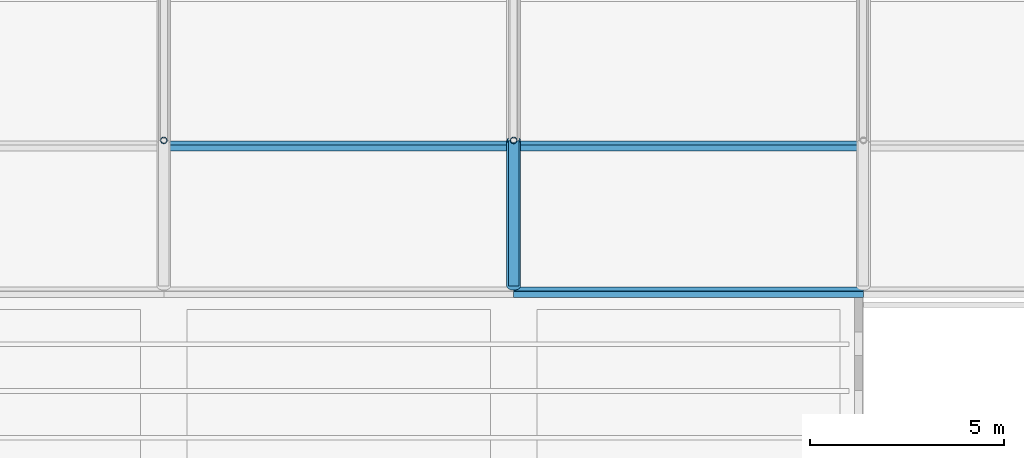
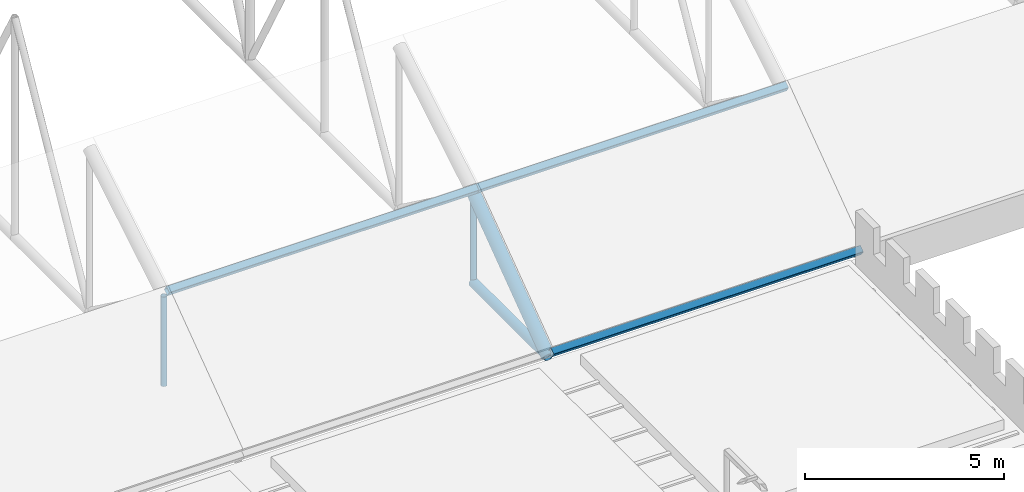
# One storey, part 44 of 153: 7 members.
"""IFC4 building model written with IfcOpenShell, lengths in metres."""

import ifcopenshell
import ifcopenshell.guid

model = None  # the IFC model being written
_history = None  # IfcOwnerHistory: only IFC2X3 demands one
_inside = {}  # id of a spatial element -> (the spatial element, [elements in it])
_under = {}  # id of a project, library or spatial element -> (it, [spatial elements below it])
_declared = {}  # id of a project -> (the project, [libraries it declares])
_typed = {}  # id of a type object -> (the type object, [elements of that type])
_made_of = {}  # id of a material, layer set ... -> (it, [elements and type objects made of it])


def new_model(schema):
    """Start an empty IFC model of exactly this schema.

    Asked for "IFC4X3", IfcOpenShell would pick the latest addendum, in which some entities
    have other attributes; the version numbers below select the first issue.
    IFC2X3 requires an IfcOwnerHistory on every rooted entity: one is made here for all.
    """
    global model, _history
    if schema == "IFC4X3":
        model = ifcopenshell.file(schema_version=(4, 3, 0, 0))
    else:
        model = ifcopenshell.file(schema=schema)
    _inside.clear()
    _under.clear()
    _declared.clear()
    _typed.clear()
    _made_of.clear()
    _history = None
    if model.schema == "IFC2X3":
        org = make("IfcOrganization", Name="unknown")
        user = make(
            "IfcPersonAndOrganization",
            ThePerson=make("IfcPerson", FamilyName="unknown"),
            TheOrganization=org,
        )
        app = make(
            "IfcApplication",
            ApplicationDeveloper=org,
            Version="unknown",
            ApplicationFullName="unknown",
            ApplicationIdentifier="unknown",
        )
        _history = make(
            "IfcOwnerHistory",
            OwningUser=user,
            OwningApplication=app,
            ChangeAction="ADDED",
            CreationDate=0,
        )
    return model


def make(cls, **values):
    """One entity of the class cls with the attributes given. An attribute that is None is left unset."""
    return model.create_entity(
        cls, **{name: value for name, value in values.items() if value is not None}
    )


def rooted(cls, **values):
    """An entity with a GlobalId (a new one), such as an element, a storey or a relation."""
    return make(cls, GlobalId=ifcopenshell.guid.new(), OwnerHistory=_history, **values)


def si_unit(unit_type, name, prefix=None):
    """IfcSIUnit, for example si_unit("LENGTHUNIT", "METRE", prefix="MILLI")."""
    return make("IfcSIUnit", UnitType=unit_type, Prefix=prefix, Name=name)


def assignment(units):
    """IfcUnitAssignment: the units of a project."""
    return None if units is None else make("IfcUnitAssignment", Units=units)


def point(xyz):
    """IfcCartesianPoint."""
    return None if xyz is None else make("IfcCartesianPoint", Coordinates=xyz)


def direction(xyz):
    """IfcDirection."""
    return None if xyz is None else make("IfcDirection", DirectionRatios=xyz)


def frame(location, z_axis=None, x_axis=None):
    """IfcAxis2Placement3D, a coordinate frame: its origin and axes. An axis left out is left unset."""
    return make(
        "IfcAxis2Placement3D",
        Location=point(location),
        Axis=direction(z_axis),
        RefDirection=direction(x_axis),
    )


def frame_2d(location, x_axis=None):
    """IfcAxis2Placement2D, a coordinate frame in the plane: its origin and x axis."""
    return make(
        "IfcAxis2Placement2D", Location=point(location), RefDirection=direction(x_axis)
    )


def origin():
    """The frame at (0, 0, 0) with its axes left unset."""
    return frame((0.0, 0.0, 0.0))


def origin_2d():
    """The frame at (0, 0) in the plane with its x axis left unset."""
    return frame_2d((0.0, 0.0))


def place(relative_to, where):
    """IfcLocalPlacement: puts the frame where relative to a parent placement (None: the world)."""
    return make(
        "IfcLocalPlacement", PlacementRelTo=relative_to, RelativePlacement=where
    )


def context(
    kind, dimensions, precision=None, world=None, true_north=None, identifier=None
):
    """IfcGeometricRepresentationContext, for example the 3D "Model" context."""
    return make(
        "IfcGeometricRepresentationContext",
        ContextIdentifier=identifier,
        ContextType=kind,
        CoordinateSpaceDimension=dimensions,
        Precision=precision,
        WorldCoordinateSystem=world,
        TrueNorth=true_north,
    )


def subcontext(parent, identifier, kind, view, scale=None):
    """IfcGeometricRepresentationSubContext, for example "Body" below "Model"."""
    return make(
        "IfcGeometricRepresentationSubContext",
        ContextIdentifier=identifier,
        ContextType=kind,
        ParentContext=parent,
        TargetScale=scale,
        TargetView=view,
    )


def project(units=None, contexts=None):
    """IfcProject with its units and contexts."""
    return rooted(
        "IfcProject",
        Name="project",
        RepresentationContexts=contexts,
        UnitsInContext=assignment(units),
    )


def spatial(cls, under=None, at=None, **own):
    """A site, building, storey or space (cls), placed at a placement, below another one or the project."""
    s = rooted(cls, ObjectPlacement=at, **own)
    if under is not None:
        _under.setdefault(under.id(), (under, []))[1].append(s)
    return s


def profile(cls, at=None, kind="AREA", **sizes):
    """A parametric profile (cls). Its sizes go by their IFC names, for example OverallWidth=200.0."""
    return make(cls, ProfileType=kind, Position=at, **sizes)


def hollow_rectangle(**sizes):
    """IfcRectangleHollowProfileDef."""
    return profile("IfcRectangleHollowProfileDef", **sizes)


def hollow_circle(**sizes):
    """IfcCircleHollowProfileDef."""
    return profile("IfcCircleHollowProfileDef", **sizes)


def extrude(swept, where, along, depth):
    """IfcExtrudedAreaSolid: the profile swept, set in the frame where, extruded along a direction by depth."""
    return make(
        "IfcExtrudedAreaSolid",
        SweptArea=swept,
        Position=where,
        ExtrudedDirection=direction(along),
        Depth=depth,
    )


def shape(context_of_items, identifier, shape_type, items):
    """IfcShapeRepresentation: the items that make up one representation, for example the "Body"."""
    return make(
        "IfcShapeRepresentation",
        ContextOfItems=context_of_items,
        RepresentationIdentifier=identifier,
        RepresentationType=shape_type,
        Items=items,
    )


def material(Name=None, Category=None):
    """IfcMaterial."""
    return make("IfcMaterial", Name=Name, Category=Category)


def material_profile(
    of_material, cross_section, Name=None, Category=None, Priority=None
):
    """IfcMaterialProfile: a cross section and its material."""
    return make(
        "IfcMaterialProfile",
        Name=Name,
        Material=of_material,
        Profile=cross_section,
        Priority=Priority,
        Category=Category,
    )


def profile_set(profiles, Name=None, composite=None):
    """IfcMaterialProfileSet."""
    return make(
        "IfcMaterialProfileSet",
        Name=Name,
        MaterialProfiles=profiles,
        CompositeProfile=composite,
    )


def made_of(thing, what):
    """Note that an element or type object is made of a material, layer set ...; save() writes the relation."""
    if what is not None:
        _made_of.setdefault(what.id(), (what, []))[1].append(thing)
    return thing


def type_object(cls, material=None, **own):
    """A type object (cls), such as IfcWallType, which elements share."""
    return made_of(rooted(cls, **own), material)


def element(
    cls,
    number,
    at=None,
    inside=None,
    cuts=None,
    type_object=None,
    material=None,
    context=None,
    identifier="Body",
    shape_type=None,
    held_by="IfcProductDefinitionShape",
    body=None,
    shapes=None,
    **own,
):
    """One element of the class cls, such as IfcWall. Its Tag is "e" and its number.

    at: its placement. inside: the storey or other place that contains it. cuts: it is an
    opening in that element (IfcRelVoidsElement). A single representation is given by context,
    identifier, shape_type and body (its items); several are given by shapes. held_by: the class
    of the entity that holds the representations. save() writes the other relations.
    """
    e = rooted(cls, Tag="e%d" % number, ObjectPlacement=at, **own)
    if body is not None:
        shapes = [shape(context, identifier, shape_type, body)]
    if shapes is not None:
        e.Representation = make(held_by, Representations=shapes)
    if inside is not None:
        _inside.setdefault(inside.id(), (inside, []))[1].append(e)
    if cuts is not None:
        rooted(
            "IfcRelVoidsElement", RelatingBuildingElement=cuts, RelatedOpeningElement=e
        )
    if type_object is not None:
        _typed.setdefault(type_object.id(), (type_object, []))[1].append(e)
    return made_of(e, material)


def aggregate(whole, parts):
    """IfcRelAggregates: a whole, such as a stair, and the parts it consists of."""
    return rooted("IfcRelAggregates", RelatingObject=whole, RelatedObjects=parts)


def save(model, path):
    """Write the relations noted so far, then the file.

    IfcRelAggregates (storeys below a building ...), IfcRelContainedInSpatialStructure (elements
    in a storey), IfcRelDefinesByType, IfcRelAssociatesMaterial and IfcRelDeclares: one each for
    every whole, place, type object, material and project.
    """
    for whole, parts in _under.values():
        aggregate(whole, parts)
    for where, things in _inside.values():
        rooted(
            "IfcRelContainedInSpatialStructure",
            RelatedElements=things,
            RelatingStructure=where,
        )
    for kind, things in _typed.values():
        rooted("IfcRelDefinesByType", RelatedObjects=things, RelatingType=kind)
    for what, things in _made_of.values():
        rooted("IfcRelAssociatesMaterial", RelatedObjects=things, RelatingMaterial=what)
    for by, libraries in _declared.values():
        rooted("IfcRelDeclares", RelatingContext=by, RelatedDefinitions=libraries)
    model.write(path)


model = new_model("IFC4")

# Units and contexts
model_context = context("Model", 3, precision=1e-05, world=origin(), true_north=direction((0.0, 1.0)))
body_context = subcontext(model_context, "Body", "Model", "MODEL_VIEW")
ifc_project = project(units=[si_unit("LENGTHUNIT", "METRE"), si_unit("AREAUNIT", "SQUARE_METRE"), si_unit("VOLUMEUNIT", "CUBIC_METRE"), si_unit("PLANEANGLEUNIT", "RADIAN"), si_unit("MASSUNIT", "GRAM", prefix="KILO")], contexts=[model_context])

# Site, building, storey
site_placement = place(None, origin())
site = spatial("IfcSite", under=ifc_project, at=site_placement, CompositionType="ELEMENT")
building_placement = place(site_placement, origin())
building = spatial("IfcBuilding", under=site, at=building_placement, Name="Baradari Gate Terminus", CompositionType="ELEMENT")
storey_placement = place(building_placement, frame((0.0, 0.0, 11.699951171875)))
storey = spatial("IfcBuildingStorey", under=building, at=storey_placement, Name="L02", CompositionType="ELEMENT", Elevation=11.699951171875)

# Members
ifc_material_1 = material(Name="Steel S355", Category="steel")
ifc_material_profile_1 = material_profile(ifc_material_1, hollow_circle(Radius=0.136474609375, WallThickness=0.012451171875, at=origin_2d()), Name="CHS 273x12.5")
ifc_profile_set_1 = profile_set([ifc_material_profile_1], Name="Steel S355")
member_type_1 = type_object("IfcMemberType", Name="Shed bottom chord CHS 273x12.5", PredefinedType="CHORD", material=ifc_profile_set_1)
member_1_placement = place(storey_placement, frame((144.0, 36.0, 0.136474609375), z_axis=(0.0, 1.0, 0.0), x_axis=(-1.0, 0.0, 0.0)))
element("IfcMember", 1, at=member_1_placement, inside=storey, type_object=member_type_1, Name="TR/L02/S144-BC00", PredefinedType="CHORD", context=body_context, shape_type="SweptSolid", body=[
    extrude(hollow_circle(Radius=0.136474609375, WallThickness=0.012451171875, at=origin_2d()), origin(), (0.0, 0.0, 1.0), 3.75),
])
ifc_material_2 = material(Name="Steel S355", Category="steel")
ifc_material_profile_2 = material_profile(ifc_material_2, hollow_rectangle(XDim=0.199951171875, YDim=0.199951171875, WallThickness=0.008056640625, InnerFilletRadius=0.008056640625, OuterFilletRadius=0.01611328125, at=origin_2d()), Name="SHS 200x200x8")
ifc_profile_set_2 = profile_set([ifc_material_profile_2], Name="Steel S355")
member_type_2 = type_object("IfcMemberType", Name="Shed purlin SHS 200x200x8", PredefinedType="PURLIN", material=ifc_profile_set_2)
for number, where, z_axis, x_axis, name in (
    (2, (135.0, 39.602783203125, 3.10791015625), (1.0, 0.0, 0.0), (0.0, 0.832836263724, 0.55351942859), "TR/L02/B144-PU01"),
    (3, (144.0, 35.8427734375, 0.350830078125), (1.0, 0.0, 0.0), (0.0, 0.80640499586, 0.591363663621), "TR/L02/B153-PU00"),
    (4, (144.0, 39.602783203125, 3.10791015625), (1.0, 0.0, 0.0), (0.0, 0.832836263724, 0.55351942859), "TR/L02/B153-PU01"),
):
    element("IfcMember", number, at=place(storey_placement, frame(where, z_axis=z_axis, x_axis=x_axis)), inside=storey, type_object=member_type_2, Name=name, PredefinedType="PURLIN", context=body_context, shape_type="SweptSolid", body=[
        extrude(hollow_rectangle(XDim=0.199951171875, YDim=0.199951171875, WallThickness=0.008056640625, InnerFilletRadius=0.008056640625, OuterFilletRadius=0.01611328125, at=origin_2d()), origin(), (0.0, 0.0, 1.0), 9.0),
    ])
ifc_material_3 = material(Name="Steel S355", Category="steel")
ifc_material_profile_3 = material_profile(ifc_material_3, hollow_circle(Radius=0.177734375, WallThickness=0.01611328125, at=origin_2d()), Name="CHS 355.6x16")
ifc_profile_set_3 = profile_set([ifc_material_profile_3], Name="Steel S355")
member_type_3 = type_object("IfcMemberType", Name="Shed top chord CHS 355.6x16", PredefinedType="CHORD", material=ifc_profile_set_3)
member_2_placement = place(storey_placement, frame((144.0, 36.0, 0.136474609375), z_axis=(0.0, 0.806404995856, 0.591363663628), x_axis=(-1.0, 0.0, 0.0)))
element("IfcMember", 5, at=member_2_placement, inside=storey, type_object=member_type_3, Name="TR/L02/S144-TC00", PredefinedType="CHORD", context=body_context, shape_type="SweptSolid", body=[
    extrude(hollow_circle(Radius=0.177734375, WallThickness=0.01611328125, at=origin_2d()), origin(), (0.0, 0.0, 1.0), 4.650390625),
])
ifc_material_4 = material(Name="Steel S355", Category="steel")
ifc_material_profile_4 = material_profile(ifc_material_4, hollow_circle(Radius=0.084228515625, WallThickness=0.008056640625, at=origin_2d()), Name="CHS 168.3x8")
ifc_profile_set_4 = profile_set([ifc_material_profile_4], Name="Steel S355")
member_type_4 = type_object("IfcMemberType", Name="Shed truss post CHS 168.3x8", PredefinedType="POST", material=ifc_profile_set_4)
for number, where, z_axis, x_axis, name in (
    (6, (135.0, 39.75, 0.136474609375), (0.0, 0.0, 1.0), (1.0, 0.0, 0.0), "TR/L02/S135-SP01"),
    (7, (144.0, 39.75, 0.136474609375), (0.0, 0.0, 1.0), (1.0, 0.0, 0.0), "TR/L02/S144-SP01"),
):
    element("IfcMember", number, at=place(storey_placement, frame(where, z_axis=z_axis, x_axis=x_axis)), inside=storey, type_object=member_type_4, Name=name, PredefinedType="POST", context=body_context, shape_type="SweptSolid", body=[
        extrude(hollow_circle(Radius=0.084228515625, WallThickness=0.008056640625, at=origin_2d()), origin(), (0.0, 0.0, 1.0), 2.75),
    ])

save(model, "model.ifc")
